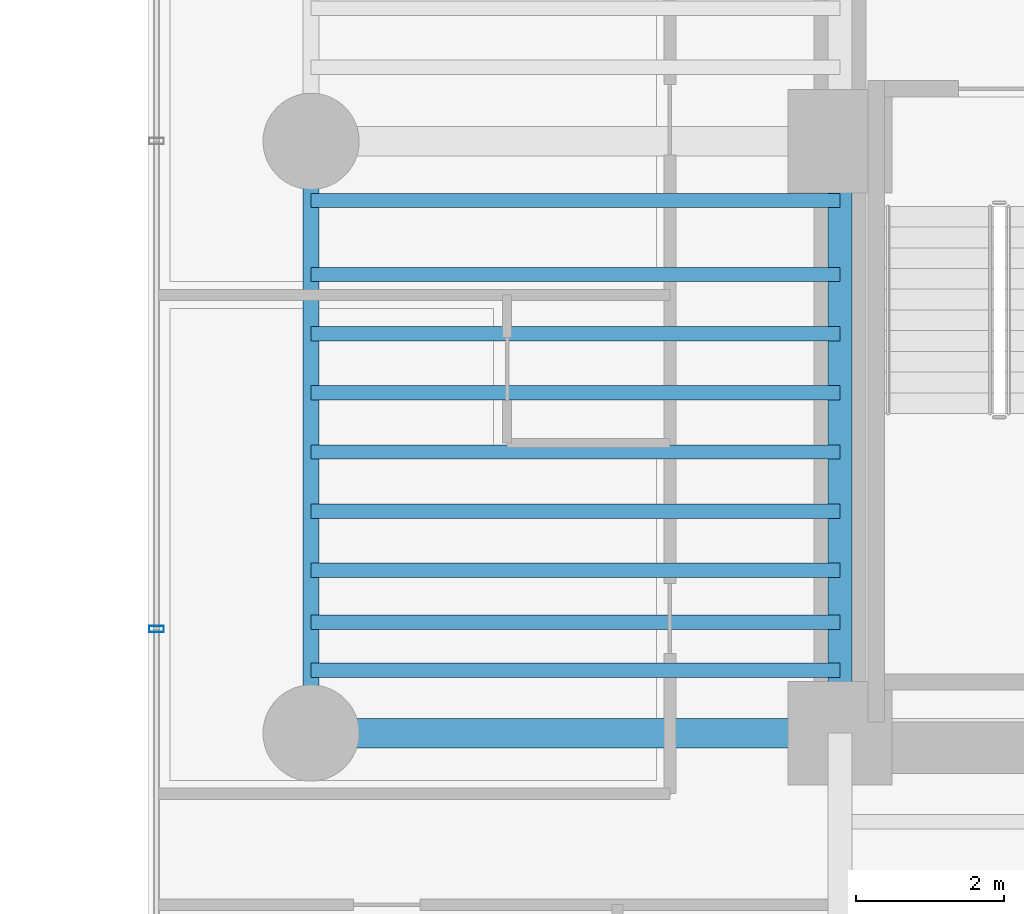
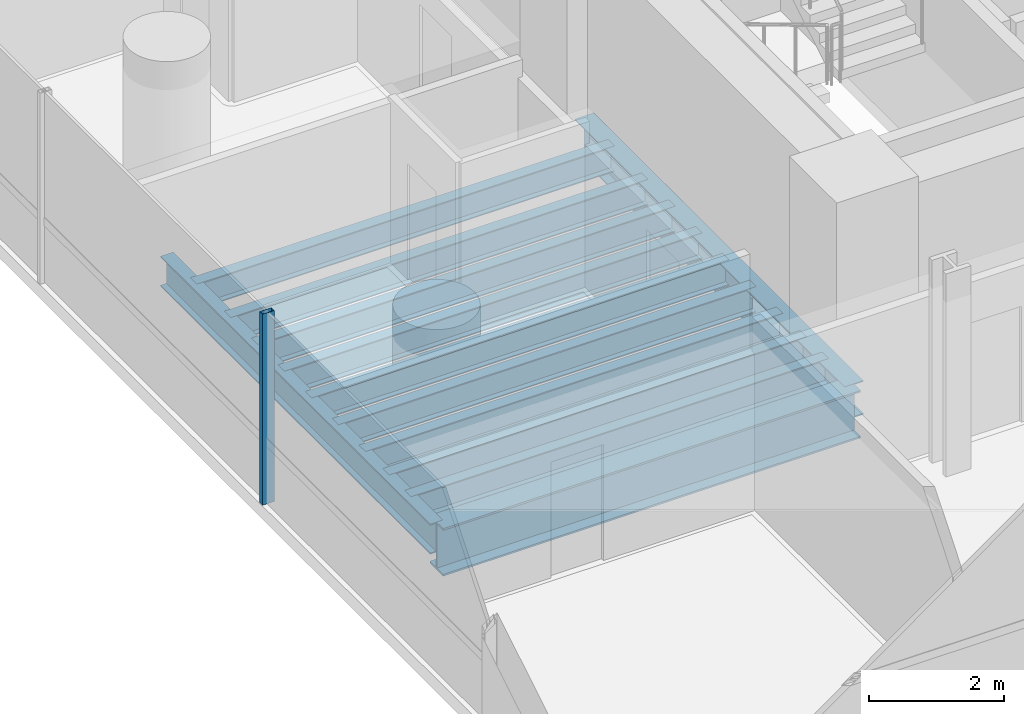
# One storey, part 4 of 41: 12 beams, 1 member, 1 element without a shape of its own.
"""IFC4 building model written with IfcOpenShell, lengths in metres."""

from ifc_helpers import new_model, si_unit, direction, frame, origin, origin_2d, place, context, subcontext, project, spatial, hollow_rectangle, i_section, extrude, source, transform, mapped, material, material_profile, profile_set, type_object, element, aggregate, save


model = new_model("IFC4")

# Units and contexts
model_context = context("Model", 3, precision=1e-05, world=origin(), true_north=direction((0.0, 1.0)))
body_context = subcontext(model_context, "Body", "Model", "MODEL_VIEW")
ifc_project = project(units=[si_unit("LENGTHUNIT", "METRE"), si_unit("AREAUNIT", "SQUARE_METRE"), si_unit("VOLUMEUNIT", "CUBIC_METRE"), si_unit("PLANEANGLEUNIT", "RADIAN"), si_unit("MASSUNIT", "GRAM", prefix="KILO")], contexts=[model_context])

# Site, building, storey
site_placement = place(None, origin())
site = spatial("IfcSite", under=ifc_project, at=site_placement, CompositionType="ELEMENT")
building_placement = place(site_placement, origin())
building = spatial("IfcBuilding", under=site, at=building_placement, Name="Valdorenza Pilgrim Sanctuary Tower", CompositionType="ELEMENT")
storey_placement = place(building_placement, frame((0.0, 0.0, 85.199951171875)))
storey = spatial("IfcBuildingStorey", under=building, at=storey_placement, Name="L21", CompositionType="ELEMENT", Elevation=85.199951171875)

# Beams
ifc_material_1 = material(Name="Steel ASTM A992 Grade 50", Category="steel")
ifc_material_profile_1 = material_profile(ifc_material_1, i_section(OverallWidth=0.214111328125, OverallDepth=0.549072265625, WebThickness=0.0146484375, FlangeThickness=0.023681640625, at=origin_2d()), Name="W21X93")
ifc_profile_set_1 = profile_set([ifc_material_profile_1], Name="Steel ASTM A992 Grade 50")
beam_type_1 = type_object("IfcBeamType", Name="STR-BM-SPN-W21A", PredefinedType="SPANDREL", material=ifc_profile_set_1)
shared_shape_1 = source(origin(), body_context, "Body", "SweptSolid", [
    extrude(i_section(OverallWidth=0.214111328125, OverallDepth=0.549072265625, WebThickness=0.0146484375, FlangeThickness=0.023681640625, at=origin_2d()), origin(), (0.0, 0.0, 1.0), 8.0),
])
beam_1_placement = place(storey_placement, frame((-29.800048828125, -10.60009765625, -0.514404296875), z_axis=(0.0, 1.0, 0.0), x_axis=(-1.0, 0.0, 0.0)))
element("IfcBeam", 1, at=beam_1_placement, inside=storey, type_object=beam_type_1, Name="L21 Spandrel Beam WA-W-S1M0", PredefinedType="SPANDREL", context=body_context, shape_type="MappedRepresentation", body=[
    mapped(shared_shape_1, transform((0.0, 0.0, 0.0), x_axis=(1.0, 0.0, 0.0), y_axis=(0.0, 1.0, 0.0), z_axis=(0.0, 0.0, 1.0), scale=1.0)),
])
ifc_material_profile_2 = material_profile(ifc_material_1, i_section(OverallWidth=0.323974609375, OverallDepth=0.611083984375, WebThickness=0.0126953125, FlangeThickness=0.01904296875, at=origin_2d()), Name="W24X104")
ifc_profile_set_2 = profile_set([ifc_material_profile_2], Name="Steel ASTM A992 Grade 50")
beam_type_2 = type_object("IfcBeamType", Name="STR-BM-GRD-W24B", PredefinedType="BEAM", material=ifc_profile_set_2)
shared_shape_2 = source(origin(), body_context, "Body", "SweptSolid", [
    extrude(i_section(OverallWidth=0.323974609375, OverallDepth=0.611083984375, WebThickness=0.0126953125, FlangeThickness=0.01904296875, at=origin_2d()), origin(), (0.0, 0.0, 1.0), 8.0),
])
beam_2_placement = place(storey_placement, frame((-22.64990234375, -10.60009765625, -0.54541015625), z_axis=(0.0, 1.0, 0.0), x_axis=(-1.0, 0.0, 0.0)))
element("IfcBeam", 2, at=beam_2_placement, inside=storey, type_object=beam_type_2, Name="L21 Core Tie Girder CA-W-S1M0", PredefinedType="BEAM", context=body_context, shape_type="MappedRepresentation", body=[
    mapped(shared_shape_2, transform((0.0, 0.0, 0.0), x_axis=(1.0, 0.0, 0.0), y_axis=(0.0, 1.0, 0.0), z_axis=(0.0, 0.0, 1.0), scale=1.0)),
])
ifc_material_profile_3 = material_profile(ifc_material_1, i_section(OverallWidth=0.193115234375, OverallDepth=0.466064453125, WebThickness=0.011474609375, FlangeThickness=0.01904296875, at=origin_2d()), Name="W18X65")
ifc_profile_set_3 = profile_set([ifc_material_profile_3], Name="Steel ASTM A992 Grade 50")
beam_type_3 = type_object("IfcBeamType", Name="STR-BM-JST-W18A", PredefinedType="JOIST", material=ifc_profile_set_3)
shared_shape_3 = source(origin(), body_context, "Body", "SweptSolid", [
    extrude(i_section(OverallWidth=0.193115234375, OverallDepth=0.466064453125, WebThickness=0.011474609375, FlangeThickness=0.01904296875, at=origin_2d()), origin(), (0.0, 0.0, 1.0), 7.150146484375),
])
for number, where, z_axis, x_axis, name in (
    (3, (-29.800048828125, -9.75, -0.472900390625), (1.0, 0.0, 0.0), (0.0, 1.0, 0.0), "L21 Composite Floor Joist JST-WA-1"),
    (4, (-29.800048828125, -9.10009765625, -0.472900390625), (1.0, 0.0, 0.0), (0.0, 1.0, 0.0), "L21 Composite Floor Joist JST-WA-2"),
    (5, (-29.800048828125, -8.39990234375, -0.472900390625), (1.0, 0.0, 0.0), (0.0, 1.0, 0.0), "L21 Composite Floor Joist JST-WA-3"),
    (6, (-29.800048828125, -7.60009765625, -0.472900390625), (1.0, 0.0, 0.0), (0.0, 1.0, 0.0), "L21 Composite Floor Joist JST-WA-4"),
    (7, (-29.800048828125, -6.800048828125, -0.472900390625), (1.0, 0.0, 0.0), (0.0, 1.0, 0.0), "L21 Composite Floor Joist JST-WA-5"),
    (8, (-29.800048828125, -6.0, -0.472900390625), (1.0, 0.0, 0.0), (0.0, 1.0, 0.0), "L21 Composite Floor Joist JST-WA-6"),
    (9, (-29.800048828125, -5.199951171875, -0.472900390625), (1.0, 0.0, 0.0), (0.0, 1.0, 0.0), "L21 Composite Floor Joist JST-WA-7"),
    (10, (-29.800048828125, -4.39990234375, -0.472900390625), (1.0, 0.0, 0.0), (0.0, 1.0, 0.0), "L21 Composite Floor Joist JST-WA-8"),
    (11, (-29.800048828125, -3.39990234375, -0.472900390625), (1.0, 0.0, 0.0), (0.0, 1.0, 0.0), "L21 Composite Floor Joist JST-WA-9"),
):
    element("IfcBeam", number, at=place(storey_placement, frame(where, z_axis=z_axis, x_axis=x_axis)), inside=storey, type_object=beam_type_3, Name=name, PredefinedType="JOIST", context=body_context, shape_type="MappedRepresentation", body=[
        mapped(shared_shape_3, transform((0.0, 0.0, 0.0), x_axis=(1.0, 0.0, 0.0), y_axis=(0.0, 1.0, 0.0), z_axis=(0.0, 0.0, 1.0), scale=1.0)),
    ])
ifc_material_profile_4 = material_profile(ifc_material_1, i_section(OverallWidth=0.39990234375, OverallDepth=0.862060546875, WebThickness=0.019775390625, FlangeThickness=0.032470703125, at=origin_2d()), Name="W33X221")
ifc_profile_set_4 = profile_set([ifc_material_profile_4], Name="Steel ASTM A992 Grade 50")
beam_type_4 = type_object("IfcBeamType", Name="STR-BM-GRD-W33", PredefinedType="BEAM", material=ifc_profile_set_4)
shared_shape_4 = source(origin(), body_context, "Body", "SweptSolid", [
    extrude(i_section(OverallWidth=0.39990234375, OverallDepth=0.862060546875, WebThickness=0.019775390625, FlangeThickness=0.032470703125, at=origin_2d()), origin(), (0.0, 0.0, 1.0), 7.150146484375),
])
beam_3_placement = place(storey_placement, frame((-29.800048828125, -10.60009765625, -0.6708984375), z_axis=(1.0, 0.0, 0.0), x_axis=(0.0, 1.0, 0.0)))
element("IfcBeam", 12, at=beam_3_placement, inside=storey, type_object=beam_type_4, Name="L21 Floor Girder WA-XW-S1", PredefinedType="BEAM", context=body_context, shape_type="MappedRepresentation", body=[
    mapped(shared_shape_4, transform((0.0, 0.0, 0.0), x_axis=(1.0, 0.0, 0.0), y_axis=(0.0, 1.0, 0.0), z_axis=(0.0, 0.0, 1.0), scale=1.0)),
])

# Curtain wall, member
ifc_material_2 = material(Name="Curtain-wall IGU glazing", Category="glass")
curtain_wall_type = type_object("IfcCurtainWallType", Name="CW-SYS-02", PredefinedType="NOTDEFINED", material=ifc_material_2)
curtain_wall_placement = place(storey_placement, origin())
curtain_wall = element("IfcCurtainWall", 13, at=curtain_wall_placement, inside=storey, type_object=curtain_wall_type, Name="L21 Curtain Wall CW-L21-1-1S1", PredefinedType="NOTDEFINED")
ifc_material_3 = material(Name="Anodised aluminium AW-6060", Category="aluminium")
ifc_material_profile_5 = material_profile(ifc_material_3, hollow_rectangle(XDim=0.0849609375, YDim=0.199951171875, WallThickness=0.0048828125, at=origin_2d()), Name="ALU-M 200x85x5")
ifc_profile_set_5 = profile_set([ifc_material_profile_5], Name="Anodised aluminium AW-6060")
member_type = type_object("IfcMemberType", Name="CW-MUL-02", PredefinedType="MULLION", material=ifc_profile_set_5)
shared_shape_5 = source(origin(), body_context, "Body", "SweptSolid", [
    extrude(hollow_rectangle(XDim=0.0849609375, YDim=0.199951171875, WallThickness=0.0048828125, at=origin_2d()), origin(), (0.0, 0.0, 1.0), 3.4599609375),
])
member_placement = place(storey_placement, frame((-31.889892578125, -9.19189453125, 0.0), z_axis=(0.0, 0.0, 1.0), x_axis=(0.0, 1.0, 0.0)))
member = element("IfcMember", 14, at=member_placement, type_object=member_type, Name="CW-L21-1-1S1 Mullion 2", PredefinedType="MULLION", context=body_context, shape_type="MappedRepresentation", body=[
    mapped(shared_shape_5, transform((0.0, 0.0, 0.0), x_axis=(1.0, 0.0, 0.0), y_axis=(0.0, 1.0, 0.0), z_axis=(0.0, 0.0, 1.0), scale=1.0)),
])
aggregate(curtain_wall, [member])

save(model, "model.ifc")
